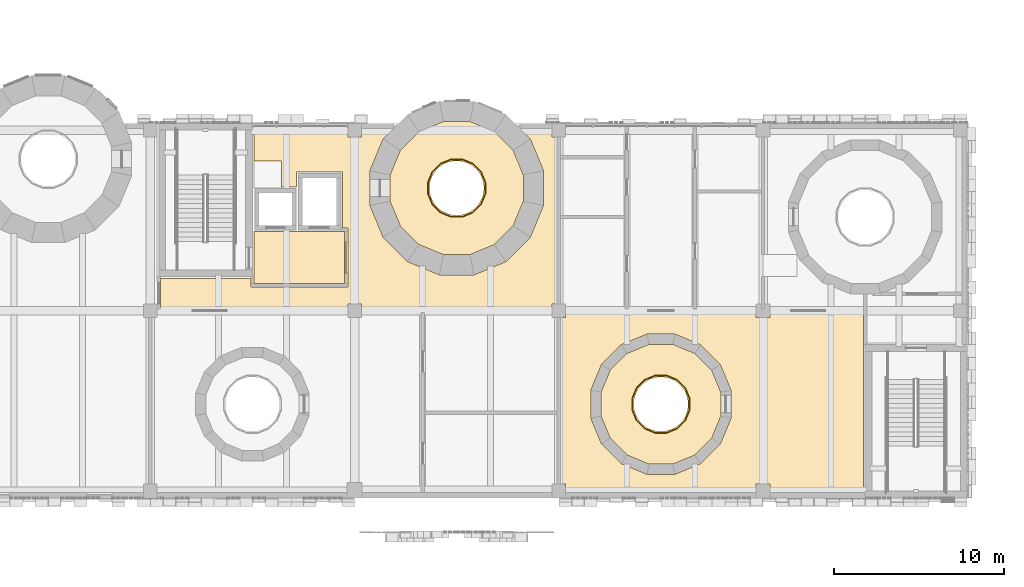
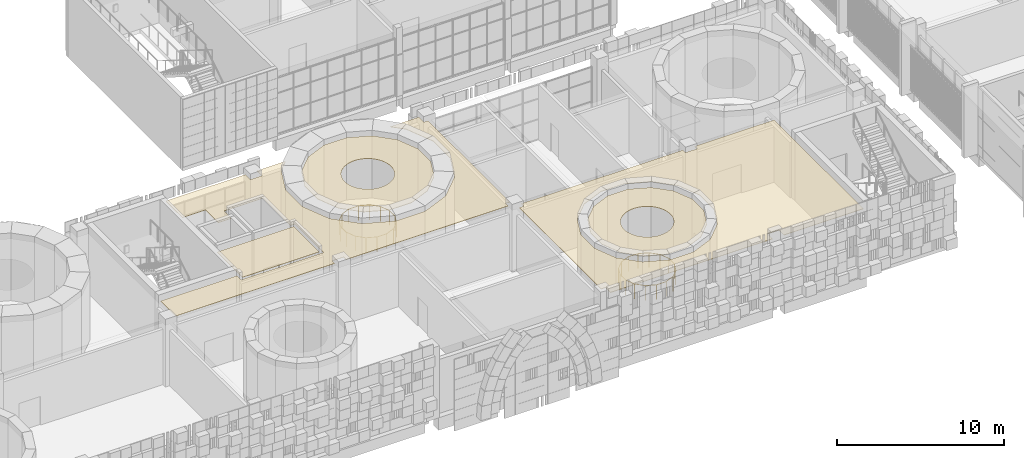
# One storey, part 97 of 125: 5 coverings, 2 railings.
"""IFC4 building model written with IfcOpenShell, lengths in metres."""

from ifc_helpers import new_model, si_unit, direction, frame, origin, origin_2d, place, context, subcontext, project, spatial, polyline, circle, outline, extrude, material, layer, layer_set, type_object, element, save


model = new_model("IFC4")

# Units and contexts
model_context = context("Model", 3, precision=1e-05, world=origin(), true_north=direction((0.0, 1.0)))
body_context = subcontext(model_context, "Body", "Model", "MODEL_VIEW")
ifc_project = project(units=[si_unit("LENGTHUNIT", "METRE"), si_unit("AREAUNIT", "SQUARE_METRE"), si_unit("VOLUMEUNIT", "CUBIC_METRE"), si_unit("PLANEANGLEUNIT", "RADIAN"), si_unit("MASSUNIT", "GRAM", prefix="KILO")], contexts=[model_context])

# Site, building, storey
site_placement = place(None, origin())
site = spatial("IfcSite", under=ifc_project, at=site_placement, CompositionType="ELEMENT")
building_placement = place(site_placement, origin())
building = spatial("IfcBuilding", under=site, at=building_placement, Name="Sun Court Science Centre", CompositionType="ELEMENT")
storey_placement = place(building_placement, frame((0.0, 0.0, 6.0)))
storey = spatial("IfcBuildingStorey", under=building, at=storey_placement, Name="L01", CompositionType="ELEMENT", Elevation=6.0)

# Coverings
ifc_material_1 = material(Name="Gypsum board")
ifc_layer = layer(ifc_material_1, 0.030029296875)
ifc_layer_set = layer_set([ifc_layer], Name="Gypsum board")
covering_type = type_object("IfcCoveringType", Name="Ceiling suspended 600 module", PredefinedType="CEILING", material=ifc_layer_set)
covering_1_placement = place(storey_placement, frame((0.0, 0.0, 4.52001953125)))
element("IfcCovering", 1, at=covering_1_placement, inside=storey, type_object=covering_type, Name="L01-004 ceiling", PredefinedType="CEILING", context=body_context, shape_type="SweptSolid", body=[
    extrude(outline(polyline([(45.316162109375, 21.984130859375), (44.2158203125, 20.8837890625), (42.778076171875, 20.288330078125), (41.221923828125, 20.288330078125), (39.7841796875, 20.8837890625), (38.683837890625, 21.984130859375), (38.08837890625, 23.421875), (38.08837890625, 24.97802734375), (38.683837890625, 26.415771484375), (39.7841796875, 27.51611328125), (41.221923828125, 28.111572265625), (42.778076171875, 28.111572265625), (44.2158203125, 27.51611328125), (45.316162109375, 26.415771484375), (45.91162109375, 24.97802734375), (45.91162109375, 23.421875), (45.316162109375, 21.984130859375)]), holes=[polyline([(43.478271484375, 24.812255859375), (43.385498046875, 25.0), (43.269287109375, 25.174072265625), (43.13134765625, 25.331298828125), (42.97412109375, 25.469482421875), (42.800048828125, 25.585693359375), (42.6123046875, 25.67822265625), (42.4140625, 25.74560546875), (42.208740234375, 25.786376953125), (42.0, 25.800048828125), (41.791259765625, 25.786376953125), (41.5859375, 25.74560546875), (41.3876953125, 25.67822265625), (41.199951171875, 25.585693359375), (41.02587890625, 25.469482421875), (40.86865234375, 25.331298828125), (40.730712890625, 25.174072265625), (40.614501953125, 25.0), (40.521728515625, 24.812255859375), (40.45458984375, 24.614013671875), (40.413818359375, 24.40869140625), (40.39990234375, 24.199951171875), (40.413818359375, 23.9912109375), (40.45458984375, 23.785888671875), (40.521728515625, 23.587646484375), (40.614501953125, 23.39990234375), (40.730712890625, 23.22607421875), (40.86865234375, 23.068603515625), (41.02587890625, 22.9306640625), (41.199951171875, 22.814453125), (41.3876953125, 22.7216796875), (41.5859375, 22.654541015625), (41.791259765625, 22.61376953125), (42.0, 22.60009765625), (42.208740234375, 22.61376953125), (42.4140625, 22.654541015625), (42.6123046875, 22.7216796875), (42.800048828125, 22.814453125), (42.97412109375, 22.9306640625), (43.13134765625, 23.068603515625), (43.269287109375, 23.22607421875), (43.385498046875, 23.39990234375), (43.478271484375, 23.587646484375), (43.54541015625, 23.785888671875), (43.586181640625, 23.9912109375), (43.60009765625, 24.199951171875), (43.586181640625, 24.40869140625), (43.54541015625, 24.614013671875), (43.478271484375, 24.812255859375)])]), origin(), (0.0, 0.0, 1.0), 0.030029296875),
])
covering_2_placement = place(storey_placement, frame((0.0, 0.0, 4.52001953125)))
element("IfcCovering", 2, at=covering_2_placement, inside=storey, type_object=covering_type, Name="L01-005 ceiling", PredefinedType="CEILING", context=body_context, shape_type="SweptSolid", body=[
    extrude(outline(polyline([(56.9833984375, 9.506591796875), (55.993408203125, 8.5166015625), (54.699951171875, 7.980712890625), (53.300048828125, 7.980712890625), (52.006591796875, 8.5166015625), (51.0166015625, 9.506591796875), (50.480712890625, 10.800048828125), (50.480712890625, 12.199951171875), (51.0166015625, 13.493408203125), (52.006591796875, 14.4833984375), (53.300048828125, 15.019287109375), (54.699951171875, 15.019287109375), (55.993408203125, 14.4833984375), (56.9833984375, 13.493408203125), (57.519287109375, 12.199951171875), (57.519287109375, 10.800048828125), (56.9833984375, 9.506591796875)]), holes=[polyline([(55.478271484375, 12.1123046875), (55.385498046875, 12.300048828125), (55.269287109375, 12.47412109375), (55.13134765625, 12.63134765625), (54.97412109375, 12.769287109375), (54.800048828125, 12.885498046875), (54.6123046875, 12.978271484375), (54.4140625, 13.04541015625), (54.208740234375, 13.086181640625), (54.0, 13.10009765625), (53.791259765625, 13.086181640625), (53.5859375, 13.04541015625), (53.3876953125, 12.978271484375), (53.199951171875, 12.885498046875), (53.02587890625, 12.769287109375), (52.86865234375, 12.63134765625), (52.730712890625, 12.47412109375), (52.614501953125, 12.300048828125), (52.521728515625, 12.1123046875), (52.45458984375, 11.9140625), (52.413818359375, 11.708740234375), (52.39990234375, 11.5), (52.413818359375, 11.291259765625), (52.45458984375, 11.0859375), (52.521728515625, 10.8876953125), (52.614501953125, 10.699951171875), (52.730712890625, 10.52587890625), (52.86865234375, 10.36865234375), (53.02587890625, 10.230712890625), (53.199951171875, 10.114501953125), (53.3876953125, 10.021728515625), (53.5859375, 9.95458984375), (53.791259765625, 9.913818359375), (54.0, 9.89990234375), (54.208740234375, 9.913818359375), (54.4140625, 9.95458984375), (54.6123046875, 10.021728515625), (54.800048828125, 10.114501953125), (54.97412109375, 10.230712890625), (55.13134765625, 10.36865234375), (55.269287109375, 10.52587890625), (55.385498046875, 10.699951171875), (55.478271484375, 10.8876953125), (55.54541015625, 11.0859375), (55.586181640625, 11.291259765625), (55.60009765625, 11.5), (55.586181640625, 11.708740234375), (55.54541015625, 11.9140625), (55.478271484375, 12.1123046875)])]), origin(), (0.0, 0.0, 1.0), 0.030029296875),
])
covering_3_placement = place(storey_placement, frame((0.0, 0.0, 4.52001953125)))
element("IfcCovering", 3, at=covering_3_placement, inside=storey, type_object=covering_type, Name="L01-017 ceiling", PredefinedType="CEILING", context=body_context, shape_type="SweptSolid", body=[
    extrude(outline(polyline([(30.10009765625, 18.60009765625), (30.10009765625, 21.6474609375), (32.672607421875, 21.6474609375), (32.672607421875, 21.64990234375), (35.39990234375, 21.64990234375), (35.39990234375, 18.60009765625), (30.10009765625, 18.60009765625)])), origin(), (0.0, 0.0, 1.0), 0.030029296875),
])
covering_4_placement = place(storey_placement, frame((0.0, 0.0, 4.52001953125)))
element("IfcCovering", 4, at=covering_4_placement, inside=storey, type_object=covering_type, Name="L01-018 ceiling", PredefinedType="CEILING", context=body_context, shape_type="SweptSolid", body=[
    extrude(outline(polyline([(38.387451171875, 27.800048828125), (37.676513671875, 27.089111328125), (36.89990234375, 25.214599609375), (36.89990234375, 23.185546875), (37.676513671875, 21.31103515625), (39.111083984375, 19.87646484375), (40.985595703125, 19.099853515625), (43.014404296875, 19.099853515625), (44.888916015625, 19.87646484375), (46.323486328125, 21.31103515625), (47.10009765625, 23.185546875), (47.10009765625, 25.214599609375), (46.323486328125, 27.089111328125), (45.612548828125, 27.800048828125), (47.60009765625, 27.800048828125), (47.60009765625, 27.199951171875), (47.89990234375, 27.199951171875), (47.89990234375, 17.39990234375), (47.60009765625, 17.39990234375), (47.60009765625, 17.10009765625), (36.39990234375, 17.10009765625), (36.39990234375, 17.39990234375), (35.60009765625, 17.39990234375), (35.60009765625, 17.10009765625), (24.60009765625, 17.10009765625), (24.60009765625, 18.89990234375), (29.89990234375, 18.89990234375), (29.89990234375, 18.39990234375), (35.60009765625, 18.39990234375), (35.60009765625, 21.85009765625), (35.300048828125, 21.85009765625), (35.300048828125, 25.14990234375), (32.60009765625, 25.14990234375), (32.60009765625, 24.2724609375), (31.699951171875, 24.2724609375), (31.699951171875, 25.800048828125), (30.10009765625, 25.800048828125), (30.10009765625, 27.800048828125), (35.60009765625, 27.800048828125), (35.60009765625, 27.199951171875), (36.39990234375, 27.199951171875), (36.39990234375, 27.800048828125), (38.387451171875, 27.800048828125)])), origin(), (0.0, 0.0, 1.0), 0.030029296875),
])
covering_5_placement = place(storey_placement, frame((0.0, 0.0, 4.52001953125)))
element("IfcCovering", 5, at=covering_5_placement, inside=storey, type_object=covering_type, Name="L01-025 ceiling", PredefinedType="CEILING", context=body_context, shape_type="SweptSolid", body=[
    extrude(outline(polyline([(48.10009765625, 6.800048828125), (48.10009765625, 16.60009765625), (48.39990234375, 16.60009765625), (48.39990234375, 16.89990234375), (59.60009765625, 16.89990234375), (59.60009765625, 16.60009765625), (60.39990234375, 16.60009765625), (60.39990234375, 16.89990234375), (65.89990234375, 16.89990234375), (65.89990234375, 6.199951171875), (60.39990234375, 6.199951171875), (60.39990234375, 6.800048828125), (59.60009765625, 6.800048828125), (59.60009765625, 6.199951171875), (48.39990234375, 6.199951171875), (48.39990234375, 6.800048828125), (48.10009765625, 6.800048828125)]), holes=[polyline([(57.4921875, 13.83349609375), (56.33349609375, 14.9921875), (54.8193359375, 15.619384765625), (53.1806640625, 15.619384765625), (51.66650390625, 14.9921875), (50.5078125, 13.83349609375), (49.880615234375, 12.3193359375), (49.880615234375, 10.6806640625), (50.5078125, 9.16650390625), (51.66650390625, 8.0078125), (53.1806640625, 7.380615234375), (54.8193359375, 7.380615234375), (56.33349609375, 8.0078125), (57.4921875, 9.16650390625), (58.119384765625, 10.6806640625), (58.119384765625, 12.3193359375), (57.4921875, 13.83349609375)])]), origin(), (0.0, 0.0, 1.0), 0.030029296875),
])

# Railings
ifc_material_2 = material(Name="Steel S275", Category="steel")
railing_type = type_object("IfcRailingType", Name="Guard 1100 well balustrade", PredefinedType="GUARDRAIL", material=ifc_material_2)
railing_1_placement = place(storey_placement, frame((43.68701171875, 24.53564453125, 0.0)))
element("IfcRailing", 6, at=railing_1_placement, inside=storey, type_object=railing_type, Name="C4 well guard L01", PredefinedType="GUARDRAIL", context=body_context, shape_type="SweptSolid", body=[
    extrude(circle(Radius=0.02392578125, at=origin_2d()), frame((0.0, 0.0, 1.076171875), z_axis=(-0.382780256271, 0.923839420792, 0.0), x_axis=(-0.923839420792, -0.382780256271, 0.0)), (0.0, 0.0, 1.0), 0.6708984375),
    extrude(circle(Radius=0.02392578125, at=origin_2d()), frame((-0.2568359375, 0.619873046875, 1.076171875), z_axis=(-0.707106781187, 0.707106781187, 0.0), x_axis=(-0.707106781187, -0.707106781187, 0.0)), (0.0, 0.0, 1.0), 0.671142578125),
    extrude(circle(Radius=0.02392578125, at=origin_2d()), frame((-0.7314453125, 1.094482421875, 1.076171875), z_axis=(-0.923892706888, 0.382651625058, 0.0), x_axis=(-0.382651625058, -0.923892706888, 0.0)), (0.0, 0.0, 1.0), 0.671142578125),
    extrude(circle(Radius=0.02392578125, at=origin_2d()), frame((-1.3515625, 1.351318359375, 1.076171875), z_axis=(-1.0, 0.0, 0.0), x_axis=(0.0, -1.0, 0.0)), (0.0, 0.0, 1.0), 0.6708984375),
    extrude(circle(Radius=0.02392578125, at=origin_2d()), frame((-2.0224609375, 1.351318359375, 1.076171875), z_axis=(-0.923892706888, -0.382651625058, 0.0), x_axis=(0.382651625058, -0.923892706888, 0.0)), (0.0, 0.0, 1.0), 0.671142578125),
    extrude(circle(Radius=0.02392578125, at=origin_2d()), frame((-2.642578125, 1.094482421875, 1.076171875), z_axis=(-0.707106781187, -0.707106781187, 0.0), x_axis=(0.707106781187, -0.707106781187, 0.0)), (0.0, 0.0, 1.0), 0.671142578125),
    extrude(circle(Radius=0.02392578125, at=origin_2d()), frame((-3.1171875, 0.619873046875, 1.076171875), z_axis=(-0.382780256271, -0.923839420792, 0.0), x_axis=(0.923839420792, -0.382780256271, 0.0)), (0.0, 0.0, 1.0), 0.6708984375),
    extrude(circle(Radius=0.02392578125, at=origin_2d()), frame((-3.3740234375, 0.0, 1.076171875), z_axis=(0.0, -1.0, 0.0), x_axis=(1.0, 0.0, 0.0)), (0.0, 0.0, 1.0), 0.671142578125),
    extrude(circle(Radius=0.02392578125, at=origin_2d()), frame((-3.3740234375, -0.671142578125, 1.076171875), z_axis=(0.382651625058, -0.923892706888, 0.0), x_axis=(0.923892706888, 0.382651625058, 0.0)), (0.0, 0.0, 1.0), 0.671142578125),
    extrude(circle(Radius=0.02392578125, at=origin_2d()), frame((-3.1171875, -1.291259765625, 1.076171875), z_axis=(0.707106781187, -0.707106781187, 0.0), x_axis=(0.707106781187, 0.707106781187, 0.0)), (0.0, 0.0, 1.0), 0.671142578125),
    extrude(circle(Radius=0.02392578125, at=origin_2d()), frame((-2.642578125, -1.765869140625, 1.076171875), z_axis=(0.923892706888, -0.382651625058, 0.0), x_axis=(0.382651625058, 0.923892706888, 0.0)), (0.0, 0.0, 1.0), 0.671142578125),
    extrude(circle(Radius=0.02392578125, at=origin_2d()), frame((-2.0224609375, -2.022705078125, 1.076171875), z_axis=(1.0, 0.0, 0.0), x_axis=(0.0, 1.0, 0.0)), (0.0, 0.0, 1.0), 0.6708984375),
    extrude(circle(Radius=0.02392578125, at=origin_2d()), frame((-1.3515625, -2.022705078125, 1.076171875), z_axis=(0.923892706888, 0.382651625058, 0.0), x_axis=(-0.382651625058, 0.923892706888, 0.0)), (0.0, 0.0, 1.0), 0.671142578125),
    extrude(circle(Radius=0.02392578125, at=origin_2d()), frame((-0.7314453125, -1.765869140625, 1.076171875), z_axis=(0.707106781187, 0.707106781187, 0.0), x_axis=(-0.707106781187, 0.707106781187, 0.0)), (0.0, 0.0, 1.0), 0.671142578125),
    extrude(circle(Radius=0.02392578125, at=origin_2d()), frame((-0.2568359375, -1.291259765625, 1.076171875), z_axis=(0.382651625058, 0.923892706888, 0.0), x_axis=(-0.923892706888, 0.382651625058, 0.0)), (0.0, 0.0, 1.0), 0.671142578125),
    extrude(circle(Radius=0.02392578125, at=origin_2d()), frame((0.0, -0.671142578125, 1.076171875), z_axis=(0.0, 1.0, 0.0), x_axis=(-1.0, 0.0, 0.0)), (0.0, 0.0, 1.0), 0.671142578125),
    extrude(circle(Radius=0.02099609375, at=origin_2d()), origin(), (0.0, 0.0, 1.0), 1.052001953125),
    extrude(circle(Radius=0.02099609375, at=origin_2d()), frame((-0.2568359375, 0.619873046875, 0.0)), (0.0, 0.0, 1.0), 1.052001953125),
    extrude(circle(Radius=0.02099609375, at=origin_2d()), frame((-0.7314453125, 1.094482421875, 0.0)), (0.0, 0.0, 1.0), 1.052001953125),
    extrude(circle(Radius=0.02099609375, at=origin_2d()), frame((-1.3515625, 1.351318359375, 0.0)), (0.0, 0.0, 1.0), 1.052001953125),
    extrude(circle(Radius=0.02099609375, at=origin_2d()), frame((-2.0224609375, 1.351318359375, 0.0)), (0.0, 0.0, 1.0), 1.052001953125),
    extrude(circle(Radius=0.02099609375, at=origin_2d()), frame((-2.642578125, 1.094482421875, 0.0)), (0.0, 0.0, 1.0), 1.052001953125),
    extrude(circle(Radius=0.02099609375, at=origin_2d()), frame((-3.1171875, 0.619873046875, 0.0)), (0.0, 0.0, 1.0), 1.052001953125),
    extrude(circle(Radius=0.02099609375, at=origin_2d()), frame((-3.3740234375, 0.0, 0.0)), (0.0, 0.0, 1.0), 1.052001953125),
    extrude(circle(Radius=0.02099609375, at=origin_2d()), frame((-3.3740234375, -0.671142578125, 0.0)), (0.0, 0.0, 1.0), 1.052001953125),
    extrude(circle(Radius=0.02099609375, at=origin_2d()), frame((-3.1171875, -1.291259765625, 0.0)), (0.0, 0.0, 1.0), 1.052001953125),
    extrude(circle(Radius=0.02099609375, at=origin_2d()), frame((-2.642578125, -1.765869140625, 0.0)), (0.0, 0.0, 1.0), 1.052001953125),
    extrude(circle(Radius=0.02099609375, at=origin_2d()), frame((-2.0224609375, -2.022705078125, 0.0)), (0.0, 0.0, 1.0), 1.052001953125),
    extrude(circle(Radius=0.02099609375, at=origin_2d()), frame((-1.3515625, -2.022705078125, 0.0)), (0.0, 0.0, 1.0), 1.052001953125),
    extrude(circle(Radius=0.02099609375, at=origin_2d()), frame((-0.7314453125, -1.765869140625, 0.0)), (0.0, 0.0, 1.0), 1.052001953125),
    extrude(circle(Radius=0.02099609375, at=origin_2d()), frame((-0.2568359375, -1.291259765625, 0.0)), (0.0, 0.0, 1.0), 1.052001953125),
    extrude(circle(Radius=0.02099609375, at=origin_2d()), frame((0.0, -0.671142578125, 0.0)), (0.0, 0.0, 1.0), 1.052001953125),
])
railing_2_placement = place(storey_placement, frame((55.68701171875, 11.83544921875, 0.0)))
element("IfcRailing", 7, at=railing_2_placement, inside=storey, type_object=railing_type, Name="C5 well guard L01", PredefinedType="GUARDRAIL", context=body_context, shape_type="SweptSolid", body=[
    extrude(circle(Radius=0.02392578125, at=origin_2d()), frame((0.0, 0.0, 1.076171875), z_axis=(-0.382651625058, 0.923892706888, 0.0), x_axis=(-0.923892706888, -0.382651625058, 0.0)), (0.0, 0.0, 1.0), 0.671142578125),
    extrude(circle(Radius=0.02392578125, at=origin_2d()), frame((-0.2568359375, 0.6201171875, 1.076171875), z_axis=(-0.707106781187, 0.707106781187, 0.0), x_axis=(-0.707106781187, -0.707106781187, 0.0)), (0.0, 0.0, 1.0), 0.671142578125),
    extrude(circle(Radius=0.02392578125, at=origin_2d()), frame((-0.7314453125, 1.0947265625, 1.076171875), z_axis=(-0.923892706888, 0.382651625058, 0.0), x_axis=(-0.382651625058, -0.923892706888, 0.0)), (0.0, 0.0, 1.0), 0.671142578125),
    extrude(circle(Radius=0.02392578125, at=origin_2d()), frame((-1.3515625, 1.3515625, 1.076171875), z_axis=(-1.0, 0.0, 0.0), x_axis=(0.0, -1.0, 0.0)), (0.0, 0.0, 1.0), 0.6708984375),
    extrude(circle(Radius=0.02392578125, at=origin_2d()), frame((-2.0224609375, 1.3515625, 1.076171875), z_axis=(-0.923892706888, -0.382651625058, 0.0), x_axis=(0.382651625058, -0.923892706888, 0.0)), (0.0, 0.0, 1.0), 0.671142578125),
    extrude(circle(Radius=0.02392578125, at=origin_2d()), frame((-2.642578125, 1.0947265625, 1.076171875), z_axis=(-0.707106781187, -0.707106781187, 0.0), x_axis=(0.707106781187, -0.707106781187, 0.0)), (0.0, 0.0, 1.0), 0.671142578125),
    extrude(circle(Radius=0.02392578125, at=origin_2d()), frame((-3.1171875, 0.6201171875, 1.076171875), z_axis=(-0.382651625058, -0.923892706888, 0.0), x_axis=(0.923892706888, -0.382651625058, 0.0)), (0.0, 0.0, 1.0), 0.671142578125),
    extrude(circle(Radius=0.02392578125, at=origin_2d()), frame((-3.3740234375, 0.0, 1.076171875), z_axis=(0.0, -1.0, 0.0), x_axis=(1.0, 0.0, 0.0)), (0.0, 0.0, 1.0), 0.6708984375),
    extrude(circle(Radius=0.02392578125, at=origin_2d()), frame((-3.3740234375, -0.6708984375, 1.076171875), z_axis=(0.382651625058, -0.923892706888, 0.0), x_axis=(0.923892706888, 0.382651625058, 0.0)), (0.0, 0.0, 1.0), 0.671142578125),
    extrude(circle(Radius=0.02392578125, at=origin_2d()), frame((-3.1171875, -1.291015625, 1.076171875), z_axis=(0.707106781187, -0.707106781187, 0.0), x_axis=(0.707106781187, 0.707106781187, 0.0)), (0.0, 0.0, 1.0), 0.671142578125),
    extrude(circle(Radius=0.02392578125, at=origin_2d()), frame((-2.642578125, -1.765625, 1.076171875), z_axis=(0.923892706888, -0.382651625058, 0.0), x_axis=(0.382651625058, 0.923892706888, 0.0)), (0.0, 0.0, 1.0), 0.671142578125),
    extrude(circle(Radius=0.02392578125, at=origin_2d()), frame((-2.0224609375, -2.0224609375, 1.076171875), z_axis=(1.0, 0.0, 0.0), x_axis=(0.0, 1.0, 0.0)), (0.0, 0.0, 1.0), 0.6708984375),
    extrude(circle(Radius=0.02392578125, at=origin_2d()), frame((-1.3515625, -2.0224609375, 1.076171875), z_axis=(0.923892706888, 0.382651625058, 0.0), x_axis=(-0.382651625058, 0.923892706888, 0.0)), (0.0, 0.0, 1.0), 0.671142578125),
    extrude(circle(Radius=0.02392578125, at=origin_2d()), frame((-0.7314453125, -1.765625, 1.076171875), z_axis=(0.707106781187, 0.707106781187, 0.0), x_axis=(-0.707106781187, 0.707106781187, 0.0)), (0.0, 0.0, 1.0), 0.671142578125),
    extrude(circle(Radius=0.02392578125, at=origin_2d()), frame((-0.2568359375, -1.291015625, 1.076171875), z_axis=(0.382651625058, 0.923892706888, 0.0), x_axis=(-0.923892706888, 0.382651625058, 0.0)), (0.0, 0.0, 1.0), 0.671142578125),
    extrude(circle(Radius=0.02392578125, at=origin_2d()), frame((0.0, -0.6708984375, 1.076171875), z_axis=(0.0, 1.0, 0.0), x_axis=(-1.0, 0.0, 0.0)), (0.0, 0.0, 1.0), 0.6708984375),
    extrude(circle(Radius=0.02099609375, at=origin_2d()), origin(), (0.0, 0.0, 1.0), 1.052001953125),
    extrude(circle(Radius=0.02099609375, at=origin_2d()), frame((-0.2568359375, 0.6201171875, 0.0)), (0.0, 0.0, 1.0), 1.052001953125),
    extrude(circle(Radius=0.02099609375, at=origin_2d()), frame((-0.7314453125, 1.0947265625, 0.0)), (0.0, 0.0, 1.0), 1.052001953125),
    extrude(circle(Radius=0.02099609375, at=origin_2d()), frame((-1.3515625, 1.3515625, 0.0)), (0.0, 0.0, 1.0), 1.052001953125),
    extrude(circle(Radius=0.02099609375, at=origin_2d()), frame((-2.0224609375, 1.3515625, 0.0)), (0.0, 0.0, 1.0), 1.052001953125),
    extrude(circle(Radius=0.02099609375, at=origin_2d()), frame((-2.642578125, 1.0947265625, 0.0)), (0.0, 0.0, 1.0), 1.052001953125),
    extrude(circle(Radius=0.02099609375, at=origin_2d()), frame((-3.1171875, 0.6201171875, 0.0)), (0.0, 0.0, 1.0), 1.052001953125),
    extrude(circle(Radius=0.02099609375, at=origin_2d()), frame((-3.3740234375, 0.0, 0.0)), (0.0, 0.0, 1.0), 1.052001953125),
    extrude(circle(Radius=0.02099609375, at=origin_2d()), frame((-3.3740234375, -0.6708984375, 0.0)), (0.0, 0.0, 1.0), 1.052001953125),
    extrude(circle(Radius=0.02099609375, at=origin_2d()), frame((-3.1171875, -1.291015625, 0.0)), (0.0, 0.0, 1.0), 1.052001953125),
    extrude(circle(Radius=0.02099609375, at=origin_2d()), frame((-2.642578125, -1.765625, 0.0)), (0.0, 0.0, 1.0), 1.052001953125),
    extrude(circle(Radius=0.02099609375, at=origin_2d()), frame((-2.0224609375, -2.0224609375, 0.0)), (0.0, 0.0, 1.0), 1.052001953125),
    extrude(circle(Radius=0.02099609375, at=origin_2d()), frame((-1.3515625, -2.0224609375, 0.0)), (0.0, 0.0, 1.0), 1.052001953125),
    extrude(circle(Radius=0.02099609375, at=origin_2d()), frame((-0.7314453125, -1.765625, 0.0)), (0.0, 0.0, 1.0), 1.052001953125),
    extrude(circle(Radius=0.02099609375, at=origin_2d()), frame((-0.2568359375, -1.291015625, 0.0)), (0.0, 0.0, 1.0), 1.052001953125),
    extrude(circle(Radius=0.02099609375, at=origin_2d()), frame((0.0, -0.6708984375, 0.0)), (0.0, 0.0, 1.0), 1.052001953125),
])

save(model, "model.ifc")
